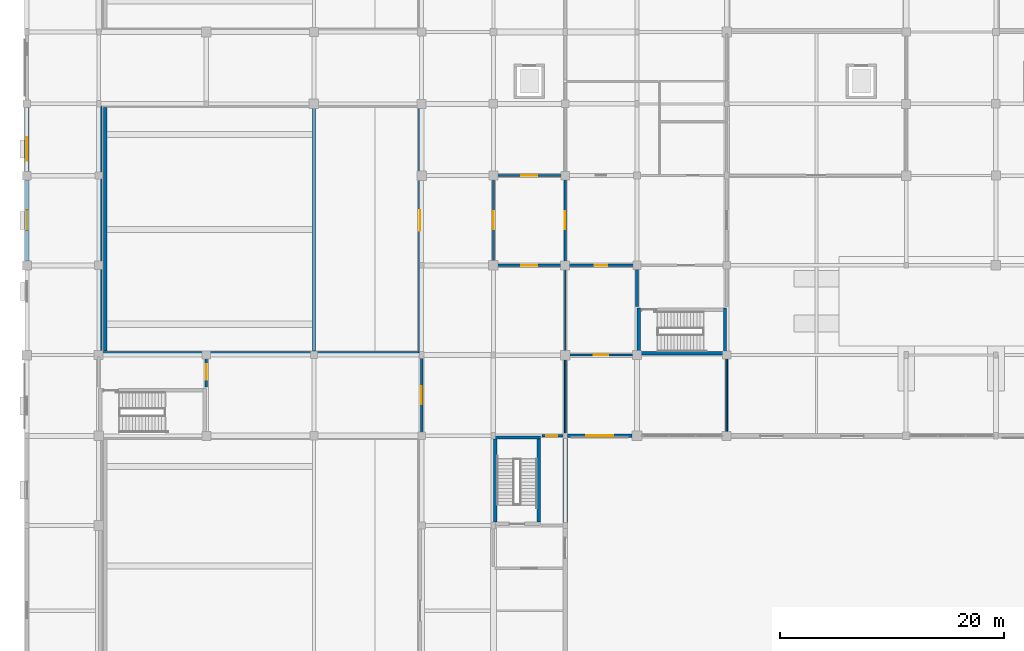
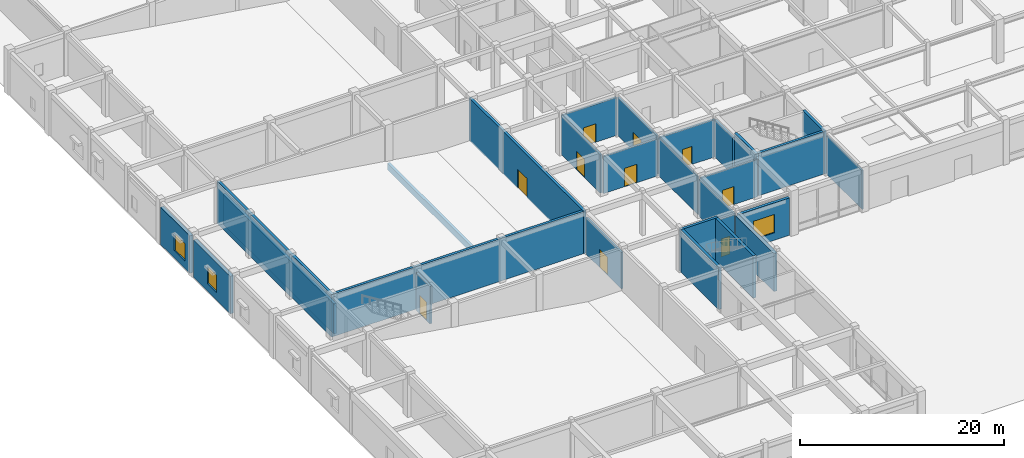
# One storey, part 24 of 40: 28 walls, 10 doors, 3 windows, 13 openings.
"""IFC4 building model written with IfcOpenShell, lengths in metres."""

from ifc_helpers import new_model, si_unit, direction, frame, frame_2d, origin, place, context, subcontext, project, spatial, rectangle, extrude, material, layer, layer_set, type_object, element, fill, save


model = new_model("IFC4")

# Units and contexts
model_context = context("Model", 3, precision=1e-05, world=origin(), true_north=direction((0.0, 1.0)))
body_context = subcontext(model_context, "Body", "Model", "MODEL_VIEW")
ifc_project = project(units=[si_unit("LENGTHUNIT", "METRE"), si_unit("AREAUNIT", "SQUARE_METRE"), si_unit("VOLUMEUNIT", "CUBIC_METRE"), si_unit("PLANEANGLEUNIT", "RADIAN"), si_unit("MASSUNIT", "GRAM", prefix="KILO")], contexts=[model_context])

# Site, building, storey
site_placement = place(None, origin())
site = spatial("IfcSite", under=ifc_project, at=site_placement, CompositionType="ELEMENT")
building_placement = place(site_placement, origin())
building = spatial("IfcBuilding", under=site, at=building_placement, Name="Vellmiral Cinema and Media Centre", CompositionType="ELEMENT")
storey_placement = place(building_placement, origin())
storey = spatial("IfcBuildingStorey", under=building, at=storey_placement, Name="L00", CompositionType="ELEMENT", Elevation=0.0)

# Wall, opening, door
ifc_material_1 = material(Name="Concrete C40/50", Category="concrete")
ifc_layer_1 = layer(ifc_material_1, 0.2099609375, Name="Concrete C40/50")
ifc_layer_set_1 = layer_set([ifc_layer_1], Name="Concrete C40/50")
wall_type_1 = type_object("IfcWallType", Name="WL-COMP-210", PredefinedType="SOLIDWALL", material=ifc_layer_set_1)
wall_1_placement = place(storey_placement, frame((45.93994140625, 36.0, 0.0), z_axis=(0.0, 0.0, 1.0), x_axis=(1.0, 0.0, 0.0)))
wall_1 = element("IfcWall", 1, at=wall_1_placement, inside=storey, type_object=wall_type_1, Name="West Core Smoke Riser Room Wall N", PredefinedType="SOLIDWALL", context=body_context, shape_type="SweptSolid", body=[
    extrude(rectangle(XDim=1.85498046875, YDim=0.2099609375, at=frame_2d((0.927490234375, 0.0))), origin(), (0.0, 0.0, 1.0), 4.574951171875),
])
opening_1_placement = place(wall_1_placement, frame((0.360107421875, 0.0, 0.0)))
opening_1 = element("IfcOpeningElement", 2, at=opening_1_placement, cuts=wall_1, Name="Opening D-FD30B", PredefinedType="OPENING", context=body_context, shape_type="SweptSolid", body=[
    extrude(rectangle(XDim=1.0, YDim=2.14990234375, at=frame_2d((0.5, 1.074951171875))), frame((0.0, 0.116943359375, 0.0), z_axis=(0.0, -1.0, 0.0), x_axis=(1.0, 0.0, 0.0)), (0.0, 0.0, 1.0), 0.23388671875),
])
ifc_material_2 = material(Name="Steel Riser Fire Door", Category="steel")
door_type_1 = type_object("IfcDoorType", Name="DR-FD30-1000x2150", OperationType="NOTDEFINED", PredefinedType="DOOR", material=ifc_material_2)
door_1_placement = place(opening_1_placement, frame((1.0, 0.0, 0.0), z_axis=(0.0, 0.0, 1.0), x_axis=(-1.0, 0.0, 0.0)))
door_1 = element("IfcDoor", 3, at=door_1_placement, inside=storey, type_object=door_type_1, Name="West Core Smoke Riser Room Door", OperationType="SINGLE_SWING_RIGHT", OverallHeight=2.14990234375, OverallWidth=1.0, PredefinedType="DOOR", context=body_context, shape_type="SweptSolid", body=[
    extrude(rectangle(XDim=1.0, YDim=2.14990234375, at=frame_2d((0.5, 1.074951171875))), frame((0.0, 0.02490234375, 0.0), z_axis=(0.0, -1.0, 0.0), x_axis=(1.0, 0.0, 0.0)), (0.0, 0.0, 1.0), 0.050048828125),
])
fill(opening_1, door_1)

wall_2_placement = place(storey_placement, frame((35.199951171875, 36.139892578125, 0.0), z_axis=(0.0, 0.0, 1.0), x_axis=(0.0, 1.0, 0.0)))
wall_2 = element("IfcWall", 4, at=wall_2_placement, inside=storey, type_object=wall_type_1, Name="West Protected Escape Passage Wall E", PredefinedType="SOLIDWALL", context=body_context, shape_type="SweptSolid", body=[
    extrude(rectangle(XDim=6.920166015625, YDim=0.2099609375, at=frame_2d((3.4599609375, 0.0))), origin(), (0.0, 0.0, 1.0), 4.375),
])
opening_2_placement = place(wall_2_placement, frame((2.659912109375, 0.0, 0.0)))
opening_2 = element("IfcOpeningElement", 5, at=opening_2_placement, cuts=wall_2, Name="Opening D-FD60A", PredefinedType="OPENING", context=body_context, shape_type="SweptSolid", body=[
    extrude(rectangle(XDim=1.60009765625, YDim=2.199951171875, at=frame_2d((0.800048828125, 1.10009765625))), frame((0.0, 0.116943359375, 0.0), z_axis=(0.0, -1.0, 0.0), x_axis=(1.0, 0.0, 0.0)), (0.0, 0.0, 1.0), 0.23388671875),
])
ifc_material_3 = material(Name="Steel Fire Door", Category="steel")
door_type_2 = type_object("IfcDoorType", Name="DR-FD60-1600x2200", OperationType="DOUBLE_DOOR_SINGLE_SWING", PredefinedType="DOOR", material=ifc_material_3)
door_2_placement = place(opening_2_placement, origin())
door_2 = element("IfcDoor", 6, at=door_2_placement, inside=storey, type_object=door_type_2, Name="West Protected Escape Passage Door", OperationType="DOUBLE_DOOR_SINGLE_SWING", OverallHeight=2.199951171875, OverallWidth=1.60009765625, PredefinedType="DOOR", context=body_context, shape_type="SweptSolid", body=[
    extrude(rectangle(XDim=1.60009765625, YDim=2.199951171875, at=frame_2d((0.800048828125, 1.10009765625))), frame((0.0, 0.02490234375, 0.0), z_axis=(0.0, -1.0, 0.0), x_axis=(1.0, 0.0, 0.0)), (0.0, 0.0, 1.0), 0.050048828125),
])
fill(opening_2, door_2)

wall_3_placement = place(storey_placement, frame((41.739990234375, 51.199951171875, 0.0), z_axis=(0.0, 0.0, 1.0), x_axis=(1.0, 0.0, 0.0)))
wall_3 = element("IfcWall", 7, at=wall_3_placement, inside=storey, type_object=wall_type_1, Name="L00 West Cross Escape Vestibule Wall S", PredefinedType="SOLIDWALL", context=body_context, shape_type="SweptSolid", body=[
    extrude(rectangle(XDim=6.1201171875, YDim=0.2099609375, at=frame_2d((3.06005859375, 0.0))), origin(), (0.0, 0.0, 1.0), 4.425048828125),
])
opening_3_placement = place(wall_3_placement, frame((2.360107421875, 0.0, 0.0)))
opening_3 = element("IfcOpeningElement", 8, at=opening_3_placement, cuts=wall_3, Name="Opening D-FD60B", PredefinedType="OPENING", context=body_context, shape_type="SweptSolid", body=[
    extrude(rectangle(XDim=1.39990234375, YDim=2.199951171875, at=frame_2d((0.699951171875, 1.10009765625))), frame((0.0, 0.116943359375, 0.0), z_axis=(0.0, -1.0, 0.0), x_axis=(1.0, 0.0, 0.0)), (0.0, 0.0, 1.0), 0.23388671875),
])
ifc_material_4 = material(Name="Steel Fire Door", Category="steel")
door_type_3 = type_object("IfcDoorType", Name="DR-FD60-1400x2200", OperationType="NOTDEFINED", PredefinedType="DOOR", material=ifc_material_4)
door_3_placement = place(opening_3_placement, origin())
door_3 = element("IfcDoor", 9, at=door_3_placement, inside=storey, type_object=door_type_3, Name="L00 West Cross Escape Vestibule Door", OperationType="SINGLE_SWING_RIGHT", OverallHeight=2.199951171875, OverallWidth=1.39990234375, PredefinedType="DOOR", context=body_context, shape_type="SweptSolid", body=[
    extrude(rectangle(XDim=1.39990234375, YDim=2.199951171875, at=frame_2d((0.699951171875, 1.10009765625))), frame((0.0, 0.02490234375, 0.0), z_axis=(0.0, -1.0, 0.0), x_axis=(1.0, 0.0, 0.0)), (0.0, 0.0, 1.0), 0.050048828125),
])
fill(opening_3, door_3)

wall_4_placement = place(storey_placement, frame((41.739990234375, 59.199951171875, 0.0), z_axis=(0.0, 0.0, 1.0), x_axis=(1.0, 0.0, 0.0)))
wall_4 = element("IfcWall", 10, at=wall_4_placement, inside=storey, type_object=wall_type_1, Name="L00 West Cross Escape Vestibule Wall N", PredefinedType="SOLIDWALL", context=body_context, shape_type="SweptSolid", body=[
    extrude(rectangle(XDim=6.1201171875, YDim=0.2099609375, at=frame_2d((3.06005859375, 0.0))), origin(), (0.0, 0.0, 1.0), 4.52490234375),
])
opening_4_placement = place(wall_4_placement, frame((2.360107421875, 0.0, 0.0)))
opening_4 = element("IfcOpeningElement", 11, at=opening_4_placement, cuts=wall_4, Name="Opening D-FD60B", PredefinedType="OPENING", context=body_context, shape_type="SweptSolid", body=[
    extrude(rectangle(XDim=1.39990234375, YDim=2.199951171875, at=frame_2d((0.699951171875, 1.10009765625))), frame((0.0, 0.116943359375, 0.0), z_axis=(0.0, -1.0, 0.0), x_axis=(1.0, 0.0, 0.0)), (0.0, 0.0, 1.0), 0.23388671875),
])
door_4_placement = place(opening_4_placement, frame((1.39990234375, 0.0, 0.0), z_axis=(0.0, 0.0, 1.0), x_axis=(-1.0, 0.0, 0.0)))
door_4 = element("IfcDoor", 12, at=door_4_placement, inside=storey, type_object=door_type_3, Name="L00 West Cross Escape Vestibule Door", OperationType="SINGLE_SWING_LEFT", OverallHeight=2.199951171875, OverallWidth=1.39990234375, PredefinedType="DOOR", context=body_context, shape_type="SweptSolid", body=[
    extrude(rectangle(XDim=1.39990234375, YDim=2.199951171875, at=frame_2d((0.699951171875, 1.10009765625))), frame((0.0, 0.02490234375, 0.0), z_axis=(0.0, -1.0, 0.0), x_axis=(1.0, 0.0, 0.0)), (0.0, 0.0, 1.0), 0.050048828125),
])
fill(opening_4, door_4)

wall_5_placement = place(storey_placement, frame((41.60009765625, 51.340087890625, 0.0), z_axis=(0.0, 0.0, 1.0), x_axis=(0.0, 1.0, 0.0)))
wall_5 = element("IfcWall", 13, at=wall_5_placement, inside=storey, type_object=wall_type_1, Name="L00 West Cross Escape Vestibule Wall W", PredefinedType="SOLIDWALL", context=body_context, shape_type="SweptSolid", body=[
    extrude(rectangle(XDim=7.719970703125, YDim=0.2099609375, at=frame_2d((3.85986328125, 0.0))), origin(), (0.0, 0.0, 1.0), 4.574951171875),
])
opening_5_placement = place(wall_5_placement, frame((3.06005859375, 0.0, 0.0)))
opening_5 = element("IfcOpeningElement", 14, at=opening_5_placement, cuts=wall_5, Name="Opening D-FD60A", PredefinedType="OPENING", context=body_context, shape_type="SweptSolid", body=[
    extrude(rectangle(XDim=1.60009765625, YDim=2.199951171875, at=frame_2d((0.800048828125, 1.10009765625))), frame((0.0, 0.116943359375, 0.0), z_axis=(0.0, -1.0, 0.0), x_axis=(1.0, 0.0, 0.0)), (0.0, 0.0, 1.0), 0.23388671875),
])
door_5_placement = place(opening_5_placement, frame((1.60009765625, 0.0, 0.0), z_axis=(0.0, 0.0, 1.0), x_axis=(-1.0, 0.0, 0.0)))
door_5 = element("IfcDoor", 15, at=door_5_placement, inside=storey, type_object=door_type_2, Name="L00 West Cross Escape Vestibule Door", OperationType="DOUBLE_DOOR_SINGLE_SWING", OverallHeight=2.199951171875, OverallWidth=1.60009765625, PredefinedType="DOOR", context=body_context, shape_type="SweptSolid", body=[
    extrude(rectangle(XDim=1.60009765625, YDim=2.199951171875, at=frame_2d((0.800048828125, 1.10009765625))), frame((0.0, 0.02490234375, 0.0), z_axis=(0.0, -1.0, 0.0), x_axis=(1.0, 0.0, 0.0)), (0.0, 0.0, 1.0), 0.050048828125),
])
fill(opening_5, door_5)

wall_6_placement = place(storey_placement, frame((48.0, 51.340087890625, 0.0), z_axis=(0.0, 0.0, 1.0), x_axis=(0.0, 1.0, 0.0)))
wall_6 = element("IfcWall", 16, at=wall_6_placement, inside=storey, type_object=wall_type_1, Name="L00 West Cross Escape Vestibule Wall E", PredefinedType="SOLIDWALL", context=body_context, shape_type="SweptSolid", body=[
    extrude(rectangle(XDim=7.719970703125, YDim=0.2099609375, at=frame_2d((3.85986328125, 0.0))), origin(), (0.0, 0.0, 1.0), 4.574951171875),
])
opening_6_placement = place(wall_6_placement, frame((3.06005859375, 0.0, 0.0)))
opening_6 = element("IfcOpeningElement", 17, at=opening_6_placement, cuts=wall_6, Name="Opening D-FD60A", PredefinedType="OPENING", context=body_context, shape_type="SweptSolid", body=[
    extrude(rectangle(XDim=1.60009765625, YDim=2.199951171875, at=frame_2d((0.800048828125, 1.10009765625))), frame((0.0, 0.116943359375, 0.0), z_axis=(0.0, -1.0, 0.0), x_axis=(1.0, 0.0, 0.0)), (0.0, 0.0, 1.0), 0.23388671875),
])
door_6_placement = place(opening_6_placement, frame((1.60009765625, 0.0, 0.0), z_axis=(0.0, 0.0, 1.0), x_axis=(-1.0, 0.0, 0.0)))
door_6 = element("IfcDoor", 18, at=door_6_placement, inside=storey, type_object=door_type_2, Name="L00 West Escape Passage Door", OperationType="DOUBLE_DOOR_SINGLE_SWING", OverallHeight=2.199951171875, OverallWidth=1.60009765625, PredefinedType="DOOR", context=body_context, shape_type="SweptSolid", body=[
    extrude(rectangle(XDim=1.60009765625, YDim=2.199951171875, at=frame_2d((0.800048828125, 1.10009765625))), frame((0.0, 0.02490234375, 0.0), z_axis=(0.0, -1.0, 0.0), x_axis=(1.0, 0.0, 0.0)), (0.0, 0.0, 1.0), 0.050048828125),
])
fill(opening_6, door_6)

wall_7_placement = place(storey_placement, frame((48.139892578125, 51.199951171875, 0.0), z_axis=(0.0, 0.0, 1.0), x_axis=(1.0, 0.0, 0.0)))
wall_7 = element("IfcWall", 19, at=wall_7_placement, inside=storey, type_object=wall_type_1, Name="L00 West Escape Passage Wall S", PredefinedType="SOLIDWALL", context=body_context, shape_type="SweptSolid", body=[
    extrude(rectangle(XDim=6.260009765625, YDim=0.2099609375, at=frame_2d((3.1298828125, 0.0))), origin(), (0.0, 0.0, 1.0), 4.47509765625),
])
opening_7_placement = place(wall_7_placement, frame((2.510009765625, 0.0, 0.0)))
opening_7 = element("IfcOpeningElement", 20, at=opening_7_placement, cuts=wall_7, Name="Opening D-I06", PredefinedType="OPENING", context=body_context, shape_type="SweptSolid", body=[
    extrude(rectangle(XDim=1.10009765625, YDim=2.14990234375, at=frame_2d((0.550048828125, 1.074951171875))), frame((0.0, 0.116943359375, 0.0), z_axis=(0.0, -1.0, 0.0), x_axis=(1.0, 0.0, 0.0)), (0.0, 0.0, 1.0), 0.23388671875),
])
ifc_material_5 = material(Name="Laminated Timber Door", Category="wood")
door_type_4 = type_object("IfcDoorType", Name="DR-INT-1100x2150", OperationType="NOTDEFINED", PredefinedType="DOOR", material=ifc_material_5)
door_7_placement = place(opening_7_placement, frame((1.10009765625, 0.0, 0.0), z_axis=(0.0, 0.0, 1.0), x_axis=(-1.0, 0.0, 0.0)))
door_7 = element("IfcDoor", 21, at=door_7_placement, inside=storey, type_object=door_type_4, Name="Public Foyer Cloakroom and Store Door", OperationType="SINGLE_SWING_RIGHT", OverallHeight=2.14990234375, OverallWidth=1.10009765625, PredefinedType="DOOR", context=body_context, shape_type="SweptSolid", body=[
    extrude(rectangle(XDim=1.10009765625, YDim=2.14990234375, at=frame_2d((0.550048828125, 1.074951171875))), frame((0.0, 0.02490234375, 0.0), z_axis=(0.0, -1.0, 0.0), x_axis=(1.0, 0.0, 0.0)), (0.0, 0.0, 1.0), 0.050048828125),
])
fill(opening_7, door_7)

# Walls
ifc_material_6 = material(Name="Concrete C40/50", Category="concrete")
ifc_layer_2 = layer(ifc_material_6, 0.300048828125, Name="Concrete C40/50")
ifc_layer_set_2 = layer_set([ifc_layer_2], Name="Concrete C40/50")
wall_type_2 = type_object("IfcWallType", Name="WL-CORE-300", PredefinedType="SHEAR", material=ifc_layer_set_2)
wall_8_placement = place(storey_placement, frame((6.699951171875, 43.35009765625, 0.0), z_axis=(0.0, 0.0, 1.0), x_axis=(1.0, 0.0, 0.0)))
element("IfcWall", 22, at=wall_8_placement, inside=storey, type_object=wall_type_2, Name="Cinema Screen 2 Acoustic Enclosure Wall L00-S1", PredefinedType="SHEAR", context=body_context, shape_type="SweptSolid", body=[
    extrude(rectangle(XDim=28.199951171875, YDim=0.300048828125, at=frame_2d((14.10009765625, 0.0))), origin(), (0.0, 0.0, 1.0), 5.080078125),
])
wall_9_placement = place(storey_placement, frame((6.550048828125, 43.199951171875, 0.0), z_axis=(0.0, 0.0, 1.0), x_axis=(0.0, 1.0, 0.0)))
element("IfcWall", 23, at=wall_9_placement, inside=storey, type_object=wall_type_2, Name="Cinema Screen 2 Acoustic Enclosure Wall L00-W1", PredefinedType="SHEAR", context=body_context, shape_type="SweptSolid", body=[
    extrude(rectangle(XDim=22.400146484375, YDim=0.300048828125, at=frame_2d((11.2001953125, 0.0))), origin(), (0.0, 0.0, 1.0), 5.080078125),
])

# Wall, opening, door
wall_10_placement = place(storey_placement, frame((35.050048828125, 43.199951171875, 0.0), z_axis=(0.0, 0.0, 1.0), x_axis=(0.0, 1.0, 0.0)))
wall_10 = element("IfcWall", 24, at=wall_10_placement, inside=storey, type_object=wall_type_2, Name="Cinema Screen 2 Acoustic Enclosure Wall L00-E1", PredefinedType="SHEAR", context=body_context, shape_type="SweptSolid", body=[
    extrude(rectangle(XDim=22.400146484375, YDim=0.300048828125, at=frame_2d((11.2001953125, 0.0))), origin(), (0.0, 0.0, 1.0), 5.080078125),
])
opening_8_placement = place(wall_10_placement, frame((11.10009765625, 0.0, 0.0)))
opening_8 = element("IfcOpeningElement", 25, at=opening_8_placement, cuts=wall_10, Name="Opening D-AC1", PredefinedType="OPENING", context=body_context, shape_type="SweptSolid", body=[
    extrude(rectangle(XDim=1.800048828125, YDim=2.300048828125, at=frame_2d((0.89990234375, 1.14990234375))), frame((0.0, 0.162109375, 0.0), z_axis=(0.0, -1.0, 0.0), x_axis=(1.0, 0.0, 0.0)), (0.0, 0.0, 1.0), 0.323974609375),
])
ifc_material_7 = material(Name="Acoustic Steel Studio Door", Category="steel")
door_type_5 = type_object("IfcDoorType", Name="DR-AC-1800x2300", OperationType="DOUBLE_DOOR_SINGLE_SWING", PredefinedType="DOOR", material=ifc_material_7)
door_8_placement = place(opening_8_placement, frame((1.800048828125, 0.0, 0.0), z_axis=(0.0, 0.0, 1.0), x_axis=(-1.0, 0.0, 0.0)))
door_8 = element("IfcDoor", 26, at=door_8_placement, inside=storey, type_object=door_type_5, Name="Cinema Screen 2 Entrance Door", OperationType="DOUBLE_DOOR_SINGLE_SWING", OverallHeight=2.300048828125, OverallWidth=1.800048828125, PredefinedType="DOOR", context=body_context, shape_type="SweptSolid", body=[
    extrude(rectangle(XDim=1.800048828125, YDim=2.300048828125, at=frame_2d((0.89990234375, 1.14990234375))), frame((0.0, 0.02490234375, 0.0), z_axis=(0.0, -1.0, 0.0), x_axis=(1.0, 0.0, 0.0)), (0.0, 0.0, 1.0), 0.050048828125),
])
fill(opening_8, door_8)

# Walls
wall_11_placement = place(storey_placement, frame((41.60009765625, 35.85009765625, 0.0), z_axis=(0.0, 0.0, 1.0), x_axis=(1.0, 0.0, 0.0)))
element("IfcWall", 27, at=wall_11_placement, inside=storey, type_object=wall_type_2, Name="Stair Core Wall ST-P1 L00-N", PredefinedType="SHEAR", context=body_context, shape_type="SweptSolid", body=[
    extrude(rectangle(XDim=4.199951171875, YDim=0.300048828125, at=frame_2d((2.10009765625, 0.0))), origin(), (0.0, 0.0, 1.0), 5.080078125),
])
for number, where, z_axis, x_axis, name in (
    (28, (41.75, 28.300048828125, 0.0), (0.0, 0.0, 1.0), (0.0, 1.0, 0.0), "Stair Core Wall ST-P1 L00-W"),
    (29, (45.64990234375, 28.300048828125, 0.0), (0.0, 0.0, 1.0), (0.0, 1.0, 0.0), "Stair Core Wall ST-P1 L00-E"),
):
    element("IfcWall", number, at=place(storey_placement, frame(where, z_axis=z_axis, x_axis=x_axis)), inside=storey, type_object=wall_type_2, Name=name, PredefinedType="SHEAR", context=body_context, shape_type="SweptSolid", body=[
        extrude(rectangle(XDim=7.39990234375, YDim=0.300048828125, at=frame_2d((3.699951171875, 0.0))), origin(), (0.0, 0.0, 1.0), 5.080078125),
    ])
for number, where, z_axis, x_axis, name in (
    (30, (54.550048828125, 43.199951171875, 0.0), (0.0, 0.0, 1.0), (0.0, 1.0, 0.0), "Stair Core Wall ST-P3 L00-W"),
    (31, (62.25, 43.199951171875, 0.0), (0.0, 0.0, 1.0), (0.0, 1.0, 0.0), "Stair Core Wall ST-P3 L00-E"),
):
    element("IfcWall", number, at=place(storey_placement, frame(where, z_axis=z_axis, x_axis=x_axis)), inside=storey, type_object=wall_type_2, Name=name, PredefinedType="SHEAR", context=body_context, shape_type="SweptSolid", body=[
        extrude(rectangle(XDim=4.199951171875, YDim=0.300048828125, at=frame_2d((2.10009765625, 0.0))), origin(), (0.0, 0.0, 1.0), 5.080078125),
    ])
wall_12_placement = place(storey_placement, frame((54.699951171875, 43.35009765625, 0.0), z_axis=(0.0, 0.0, 1.0), x_axis=(1.0, 0.0, 0.0)))
element("IfcWall", 32, at=wall_12_placement, inside=storey, type_object=wall_type_2, Name="Stair Core Wall ST-P3 L00-S", PredefinedType="SHEAR", context=body_context, shape_type="SweptSolid", body=[
    extrude(rectangle(XDim=7.400146484375, YDim=0.300048828125, at=frame_2d((3.7001953125, 0.0))), origin(), (0.0, 0.0, 1.0), 5.080078125),
])

# Wall, opening, window
ifc_material_8 = material(Name="Polychrome Glazed Ceramic Cladding", Category="masonry")
ifc_layer_3 = layer(ifc_material_8, 0.320068359375, Name="Polychrome Glazed Ceramic Cladding")
ifc_layer_set_3 = layer_set([ifc_layer_3], Name="Polychrome Glazed Ceramic Cladding")
wall_type_3 = type_object("IfcWallType", Name="WL-EXT-BRICK-320", PredefinedType="SOLIDWALL", material=ifc_layer_set_3)
wall_13_placement = place(storey_placement, frame((48.199951171875, 36.0, 0.0), z_axis=(0.0, 0.0, 1.0), x_axis=(1.0, 0.0, 0.0)))
wall_13 = element("IfcWall", 33, at=wall_13_placement, inside=storey, type_object=wall_type_3, Name="Exterior Facade Wall L00-012", PredefinedType="SOLIDWALL", context=body_context, shape_type="SweptSolid", body=[
    extrude(rectangle(XDim=5.775146484375, YDim=0.320068359375, at=frame_2d((2.8876953125, 0.0))), origin(), (0.0, 0.0, 1.0), 4.47998046875),
])
opening_9_placement = place(wall_13_placement, frame((1.6875, 0.0, 0.89990234375)))
opening_9 = element("IfcOpeningElement", 34, at=opening_9_placement, cuts=wall_13, Name="Opening WN-01", PredefinedType="OPENING", context=body_context, shape_type="SweptSolid", body=[
    extrude(rectangle(XDim=2.39990234375, YDim=2.199951171875, at=frame_2d((1.199951171875, 1.10009765625))), frame((0.0, 0.171875, 0.0), z_axis=(0.0, -1.0, 0.0), x_axis=(1.0, 0.0, 0.0)), (0.0, 0.0, 1.0), 0.343994140625),
])
ifc_material_9 = material(Name="Thermally Broken Aluminium Triple Glazing", Category="aluminium")
window_type_1 = type_object("IfcWindowType", Name="WN-2400x2200", PartitioningType="DOUBLE_PANEL_VERTICAL", PredefinedType="WINDOW", material=ifc_material_9)
window_1_placement = place(opening_9_placement, origin())
window_1 = element("IfcWindow", 35, at=window_1_placement, inside=storey, type_object=window_type_1, Name="Window L00-012", OverallHeight=2.199951171875, OverallWidth=2.39990234375, PartitioningType="DOUBLE_PANEL_VERTICAL", PredefinedType="WINDOW", context=body_context, shape_type="SweptSolid", body=[
    extrude(rectangle(XDim=2.39990234375, YDim=2.199951171875, at=frame_2d((1.199951171875, 1.10009765625))), frame((0.0, 0.030029296875, 0.0), z_axis=(0.0, -1.0, 0.0), x_axis=(1.0, 0.0, 0.0)), (0.0, 0.0, 1.0), 0.06005859375),
])
fill(opening_9, window_1)

# Wall
ifc_material_10 = material(Name="Vosges Red Sandstone Masonry", Category="masonry")
ifc_layer_4 = layer(ifc_material_10, 0.3798828125, Name="Vosges Red Sandstone Masonry")
ifc_layer_set_4 = layer_set([ifc_layer_4], Name="Vosges Red Sandstone Masonry")
wall_type_4 = type_object("IfcWallType", Name="WL-EXT-SAND-380", PredefinedType="SOLIDWALL", material=ifc_layer_set_4)
wall_14_placement = place(storey_placement, frame((48.0, 28.25, 0.0), z_axis=(0.0, 0.0, 1.0), x_axis=(0.0, 1.0, 0.0)))
element("IfcWall", 36, at=wall_14_placement, inside=storey, type_object=wall_type_4, Name="Exterior Facade Wall L00-011", PredefinedType="SOLIDWALL", context=body_context, shape_type="SweptSolid", body=[
    extrude(rectangle(XDim=7.5, YDim=0.3798828125, at=frame_2d((3.75, 0.0))), origin(), (0.0, 0.0, 1.0), 4.554931640625),
])

# Wall, opening, window
wall_15_placement = place(storey_placement, frame((0.0, 65.27490234375, 0.0), z_axis=(0.0, 0.0, 1.0), x_axis=(0.0, -1.0, 0.0)))
wall_15 = element("IfcWall", 37, at=wall_15_placement, inside=storey, type_object=wall_type_4, Name="Exterior Facade Wall L00-073", PredefinedType="SOLIDWALL", context=body_context, shape_type="SweptSolid", body=[
    extrude(rectangle(XDim=5.699951171875, YDim=0.3798828125, at=frame_2d((2.85009765625, 0.0))), origin(), (0.0, 0.0, 1.0), 4.47998046875),
])
opening_10_placement = place(wall_15_placement, frame((2.64990234375, 0.0, 0.89990234375)))
opening_10 = element("IfcOpeningElement", 38, at=opening_10_placement, cuts=wall_15, Name="Opening WN-02", PredefinedType="OPENING", context=body_context, shape_type="SweptSolid", body=[
    extrude(rectangle(XDim=2.10009765625, YDim=2.10009765625, at=frame_2d((1.050048828125, 1.050048828125))), frame((0.0, 0.201904296875, 0.0), z_axis=(0.0, -1.0, 0.0), x_axis=(1.0, 0.0, 0.0)), (0.0, 0.0, 1.0), 0.40380859375),
])
ifc_material_11 = material(Name="Thermally Broken Aluminium Triple Glazing", Category="aluminium")
window_type_2 = type_object("IfcWindowType", Name="WN-2100x2100", PartitioningType="DOUBLE_PANEL_VERTICAL", PredefinedType="WINDOW", material=ifc_material_11)
window_2_placement = place(opening_10_placement, origin())
window_2 = element("IfcWindow", 39, at=window_2_placement, inside=storey, type_object=window_type_2, Name="Window L00-073", OverallHeight=2.10009765625, OverallWidth=2.10009765625, PartitioningType="DOUBLE_PANEL_VERTICAL", PredefinedType="WINDOW", context=body_context, shape_type="SweptSolid", body=[
    extrude(rectangle(XDim=2.10009765625, YDim=2.10009765625, at=frame_2d((1.050048828125, 1.050048828125))), frame((0.0, 0.030029296875, 0.0), z_axis=(0.0, -1.0, 0.0), x_axis=(1.0, 0.0, 0.0)), (0.0, 0.0, 1.0), 0.06005859375),
])
fill(opening_10, window_2)

wall_16_placement = place(storey_placement, frame((0.0, 58.824951171875, 0.0), z_axis=(0.0, 0.0, 1.0), x_axis=(0.0, -1.0, 0.0)))
wall_16 = element("IfcWall", 40, at=wall_16_placement, inside=storey, type_object=wall_type_4, Name="Exterior Facade Wall L00-074", PredefinedType="SOLIDWALL", context=body_context, shape_type="SweptSolid", body=[
    extrude(rectangle(XDim=7.224853515625, YDim=0.3798828125, at=frame_2d((3.6123046875, 0.0))), origin(), (0.0, 0.0, 1.0), 4.47998046875),
])
opening_11_placement = place(wall_16_placement, frame((2.71240234375, 0.0, 0.89990234375)))
opening_11 = element("IfcOpeningElement", 41, at=opening_11_placement, cuts=wall_16, Name="Opening WN-03", PredefinedType="OPENING", context=body_context, shape_type="SweptSolid", body=[
    extrude(rectangle(XDim=1.800048828125, YDim=2.10009765625, at=frame_2d((0.89990234375, 1.050048828125))), frame((0.0, 0.201904296875, 0.0), z_axis=(0.0, -1.0, 0.0), x_axis=(1.0, 0.0, 0.0)), (0.0, 0.0, 1.0), 0.40380859375),
])
ifc_material_12 = material(Name="Thermally Broken Aluminium Triple Glazing", Category="aluminium")
window_type_3 = type_object("IfcWindowType", Name="WN-1800x2100", PartitioningType="DOUBLE_PANEL_VERTICAL", PredefinedType="WINDOW", material=ifc_material_12)
window_3_placement = place(opening_11_placement, origin())
window_3 = element("IfcWindow", 42, at=window_3_placement, inside=storey, type_object=window_type_3, Name="Window L00-074", OverallHeight=2.10009765625, OverallWidth=1.800048828125, PartitioningType="DOUBLE_PANEL_VERTICAL", PredefinedType="WINDOW", context=body_context, shape_type="SweptSolid", body=[
    extrude(rectangle(XDim=1.800048828125, YDim=2.10009765625, at=frame_2d((0.89990234375, 1.050048828125))), frame((0.0, 0.030029296875, 0.0), z_axis=(0.0, -1.0, 0.0), x_axis=(1.0, 0.0, 0.0)), (0.0, 0.0, 1.0), 0.06005859375),
])
fill(opening_11, window_3)

# Wall
ifc_material_13 = material(Name="Concrete C40/50", Category="concrete")
ifc_layer_5 = layer(ifc_material_13, 0.22998046875, Name="Concrete C40/50")
ifc_layer_set_5 = layer_set([ifc_layer_5], Name="Concrete C40/50")
wall_type_5 = type_object("IfcWallType", Name="WL-FFL-230", PredefinedType="SOLIDWALL", material=ifc_layer_set_5)
wall_17_placement = place(storey_placement, frame((54.39990234375, 47.5400390625, 0.0), z_axis=(0.0, 0.0, 1.0), x_axis=(0.0, 1.0, 0.0)))
element("IfcWall", 43, at=wall_17_placement, inside=storey, type_object=wall_type_5, Name="Firefighting Stair Lobby ST-P3 Wall W", PredefinedType="SOLIDWALL", context=body_context, shape_type="SweptSolid", body=[
    extrude(rectangle(XDim=3.52001953125, YDim=0.22998046875, at=frame_2d((1.760009765625, 0.0))), origin(), (0.0, 0.0, 1.0), 4.47509765625),
])

# Wall, opening, door
wall_18_placement = place(storey_placement, frame((16.0, 40.340087890625, 0.0), z_axis=(0.0, 0.0, 1.0), x_axis=(0.0, 1.0, 0.0)))
wall_18 = element("IfcWall", 44, at=wall_18_placement, inside=storey, type_object=wall_type_5, Name="Firefighting Stair Lobby ST-P7 Wall E", PredefinedType="SOLIDWALL", context=body_context, shape_type="SweptSolid", body=[
    extrude(rectangle(XDim=2.719970703125, YDim=0.22998046875, at=frame_2d((1.35986328125, 0.0))), origin(), (0.0, 0.0, 1.0), 4.47509765625),
])
opening_12_placement = place(wall_18_placement, frame((0.659912109375, 0.0, 0.0)))
opening_12 = element("IfcOpeningElement", 45, at=opening_12_placement, cuts=wall_18, Name="Opening D-FD60B", PredefinedType="OPENING", context=body_context, shape_type="SweptSolid", body=[
    extrude(rectangle(XDim=1.39990234375, YDim=2.199951171875, at=frame_2d((0.699951171875, 1.10009765625))), frame((0.0, 0.126953125, 0.0), z_axis=(0.0, -1.0, 0.0), x_axis=(1.0, 0.0, 0.0)), (0.0, 0.0, 1.0), 0.25390625),
])
door_9_placement = place(opening_12_placement, frame((1.39990234375, 0.0, 0.0), z_axis=(0.0, 0.0, 1.0), x_axis=(-1.0, 0.0, 0.0)))
door_9 = element("IfcDoor", 46, at=door_9_placement, inside=storey, type_object=door_type_3, Name="Firefighting Stair Lobby ST-P7 Door", OperationType="SINGLE_SWING_RIGHT", OverallHeight=2.199951171875, OverallWidth=1.39990234375, PredefinedType="DOOR", context=body_context, shape_type="SweptSolid", body=[
    extrude(rectangle(XDim=1.39990234375, YDim=2.199951171875, at=frame_2d((0.699951171875, 1.10009765625))), frame((0.0, 0.02490234375, 0.0), z_axis=(0.0, -1.0, 0.0), x_axis=(1.0, 0.0, 0.0)), (0.0, 0.0, 1.0), 0.050048828125),
])
fill(opening_12, door_9)

# Walls
ifc_material_14 = material(Name="Gypsum Plasterboard")
ifc_layer_6 = layer(ifc_material_14, 0.02490234375, Name="Gypsum Plasterboard", Category="gypsum")
ifc_material_15 = material(Name="Mineral Wool Acoustic Insulation", Category="insulation")
ifc_layer_7 = layer(ifc_material_15, 0.06005859375, Name="Mineral Wool Acoustic Insulation", Category="insulation")
ifc_layer_8 = layer(ifc_material_14, 0.02490234375, Name="Gypsum Plasterboard", Category="gypsum")
ifc_layer_set_6 = layer_set([ifc_layer_6, ifc_layer_7, ifc_layer_8], Name="Gypsum Plasterboard")
wall_type_6 = type_object("IfcWallType", Name="WL-PART-110", PredefinedType="PARTITIONING", material=ifc_layer_set_6)
wall_19_placement = place(storey_placement, frame((48.0, 43.340087890625, 0.0), z_axis=(0.0, 0.0, 1.0), x_axis=(0.0, 1.0, 0.0)))
element("IfcWall", 47, at=wall_19_placement, inside=storey, type_object=wall_type_6, Name="Public Foyer Cloakroom and Store Wall W", PredefinedType="PARTITIONING", context=body_context, shape_type="SweptSolid", body=[
    extrude(rectangle(XDim=7.719970703125, YDim=0.110107421875, at=frame_2d((3.85986328125, 0.0))), origin(), (0.0, 0.0, 1.0), 4.574951171875),
])
ifc_material_16 = material(Name="Gypsum Plasterboard")
ifc_layer_9 = layer(ifc_material_16, 0.02490234375, Name="Gypsum Plasterboard", Category="gypsum")
ifc_material_17 = material(Name="Mineral Wool Acoustic Insulation", Category="insulation")
ifc_layer_10 = layer(ifc_material_17, 0.10009765625, Name="Mineral Wool Acoustic Insulation", Category="insulation")
ifc_layer_11 = layer(ifc_material_16, 0.02490234375, Name="Gypsum Plasterboard", Category="gypsum")
ifc_layer_set_7 = layer_set([ifc_layer_9, ifc_layer_10, ifc_layer_11], Name="Gypsum Plasterboard")
wall_type_7 = type_object("IfcWallType", Name="WL-PART-150", PredefinedType="PARTITIONING", material=ifc_layer_set_7)
wall_20_placement = place(storey_placement, frame((62.39990234375, 36.10498046875, 0.0), z_axis=(0.0, 0.0, 1.0), x_axis=(0.0, 1.0, 0.0)))
element("IfcWall", 48, at=wall_20_placement, inside=storey, type_object=wall_type_7, Name="Box Office and Ticketing Hall Wall E", PredefinedType="PARTITIONING", context=body_context, shape_type="SweptSolid", body=[
    extrude(rectangle(XDim=6.955078125, YDim=0.14990234375, at=frame_2d((3.4775390625, 0.0))), origin(), (0.0, 0.0, 1.0), 4.625),
])
ifc_material_18 = material(Name="Gypsum Plasterboard")
ifc_layer_12 = layer(ifc_material_18, 0.02490234375, Name="Gypsum Plasterboard", Category="gypsum")
ifc_material_19 = material(Name="Mineral Wool Acoustic Insulation", Category="insulation")
ifc_layer_13 = layer(ifc_material_19, 0.1201171875, Name="Mineral Wool Acoustic Insulation", Category="insulation")
ifc_layer_14 = layer(ifc_material_18, 0.02490234375, Name="Gypsum Plasterboard", Category="gypsum")
ifc_layer_set_8 = layer_set([ifc_layer_12, ifc_layer_13, ifc_layer_14], Name="Gypsum Plasterboard")
wall_type_8 = type_object("IfcWallType", Name="WL-PART-170", PredefinedType="PARTITIONING", material=ifc_layer_set_8)
wall_21_placement = place(storey_placement, frame((48.0, 36.205078125, 0.0), z_axis=(0.0, 0.0, 1.0), x_axis=(0.0, 1.0, 0.0)))
element("IfcWall", 49, at=wall_21_placement, inside=storey, type_object=wall_type_8, Name="Box Office and Ticketing Hall Wall W", PredefinedType="PARTITIONING", context=body_context, shape_type="SweptSolid", body=[
    extrude(rectangle(XDim=6.85498046875, YDim=0.169921875, at=frame_2d((3.427490234375, 0.0))), origin(), (0.0, 0.0, 1.0), 4.47509765625),
])

# Wall, opening, door
ifc_material_20 = material(Name="Gypsum Plasterboard")
ifc_layer_15 = layer(ifc_material_20, 0.02490234375, Name="Gypsum Plasterboard", Category="gypsum")
ifc_material_21 = material(Name="Mineral Wool Acoustic Insulation", Category="insulation")
ifc_layer_16 = layer(ifc_material_21, 0.139892578125, Name="Mineral Wool Acoustic Insulation", Category="insulation")
ifc_layer_17 = layer(ifc_material_20, 0.02490234375, Name="Gypsum Plasterboard", Category="gypsum")
ifc_layer_set_9 = layer_set([ifc_layer_15, ifc_layer_16, ifc_layer_17], Name="Gypsum Plasterboard")
wall_type_9 = type_object("IfcWallType", Name="WL-PART-190", PredefinedType="PARTITIONING", material=ifc_layer_set_9)
wall_22_placement = place(storey_placement, frame((48.139892578125, 43.199951171875, 0.0), z_axis=(0.0, 0.0, 1.0), x_axis=(1.0, 0.0, 0.0)))
wall_22 = element("IfcWall", 50, at=wall_22_placement, inside=storey, type_object=wall_type_9, Name="Box Office and Ticketing Hall Wall N", PredefinedType="PARTITIONING", context=body_context, shape_type="SweptSolid", body=[
    extrude(rectangle(XDim=6.420166015625, YDim=0.18994140625, at=frame_2d((3.2099609375, 0.0))), origin(), (0.0, 0.0, 1.0), 4.47509765625),
])
opening_13_placement = place(wall_22_placement, frame((2.409912109375, 0.0, 0.0)))
opening_13 = element("IfcOpeningElement", 51, at=opening_13_placement, cuts=wall_22, Name="Opening D-I04", PredefinedType="OPENING", context=body_context, shape_type="SweptSolid", body=[
    extrude(rectangle(XDim=1.300048828125, YDim=2.14990234375, at=frame_2d((0.64990234375, 1.074951171875))), frame((0.0, 0.10693359375, 0.0), z_axis=(0.0, -1.0, 0.0), x_axis=(1.0, 0.0, 0.0)), (0.0, 0.0, 1.0), 0.2138671875),
])
ifc_material_22 = material(Name="Laminated Timber Door", Category="wood")
door_type_6 = type_object("IfcDoorType", Name="DR-INT-1300x2150", OperationType="NOTDEFINED", PredefinedType="DOOR", material=ifc_material_22)
door_10_placement = place(opening_13_placement, origin())
door_10 = element("IfcDoor", 52, at=door_10_placement, inside=storey, type_object=door_type_6, Name="Box Office and Ticketing Hall Door", OperationType="SINGLE_SWING_LEFT", OverallHeight=2.14990234375, OverallWidth=1.300048828125, PredefinedType="DOOR", context=body_context, shape_type="SweptSolid", body=[
    extrude(rectangle(XDim=1.300048828125, YDim=2.14990234375, at=frame_2d((0.64990234375, 1.074951171875))), frame((0.0, 0.02490234375, 0.0), z_axis=(0.0, -1.0, 0.0), x_axis=(1.0, 0.0, 0.0)), (0.0, 0.0, 1.0), 0.050048828125),
])
fill(opening_13, door_10)

# Walls
ifc_material_23 = material(Name="Concrete C40/50", Category="concrete")
ifc_layer_18 = layer(ifc_material_23, 0.300048828125, Name="Concrete C40/50")
ifc_layer_set_10 = layer_set([ifc_layer_18], Name="Concrete C40/50")
wall_type_10 = type_object("IfcWallType", Name="WL-RC-RAKER-300", PredefinedType="SHEAR", material=ifc_layer_set_10)
wall_23_placement = place(storey_placement, frame((25.60009765625, 43.550048828125, 0.0), z_axis=(0.0, 0.0, 1.0), x_axis=(0.0, 1.0, 0.0)))
element("IfcWall", 53, at=wall_23_placement, inside=storey, type_object=wall_type_10, Name="Cinema Screen 2 Raker Front Support Wall", PredefinedType="SHEAR", context=body_context, shape_type="SweptSolid", body=[
    extrude(rectangle(XDim=21.699951171875, YDim=0.300048828125, at=frame_2d((10.85009765625, 0.0))), origin(), (0.0, 0.0, 1.0), 0.7841796875),
])
wall_24_placement = place(storey_placement, frame((7.0, 43.550048828125, 0.0), z_axis=(0.0, 0.0, 1.0), x_axis=(0.0, 1.0, 0.0)))
element("IfcWall", 54, at=wall_24_placement, inside=storey, type_object=wall_type_10, Name="Cinema Screen 2 Raker Rear Support Wall", PredefinedType="SHEAR", context=body_context, shape_type="SweptSolid", body=[
    extrude(rectangle(XDim=21.699951171875, YDim=0.300048828125, at=frame_2d((10.85009765625, 0.0))), origin(), (0.0, 0.0, 1.0), 3.59716796875),
])

save(model, "model.ifc")
